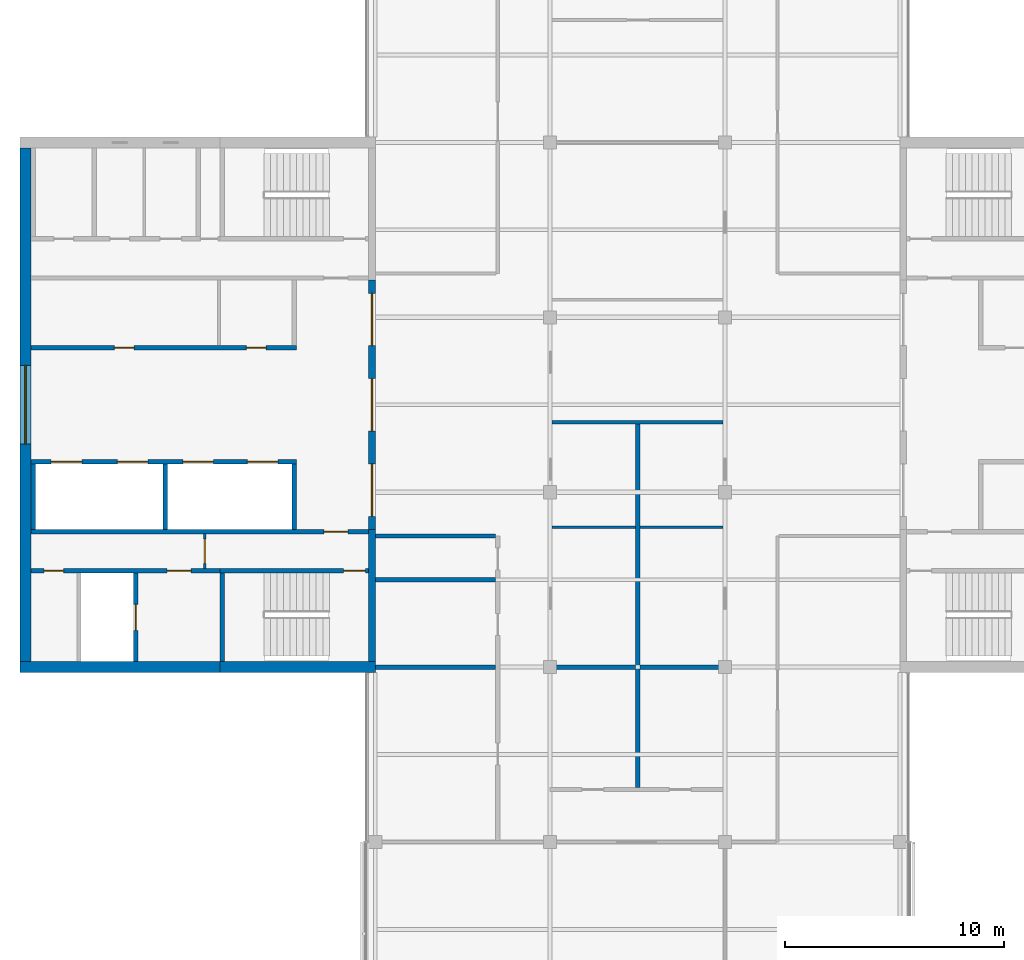
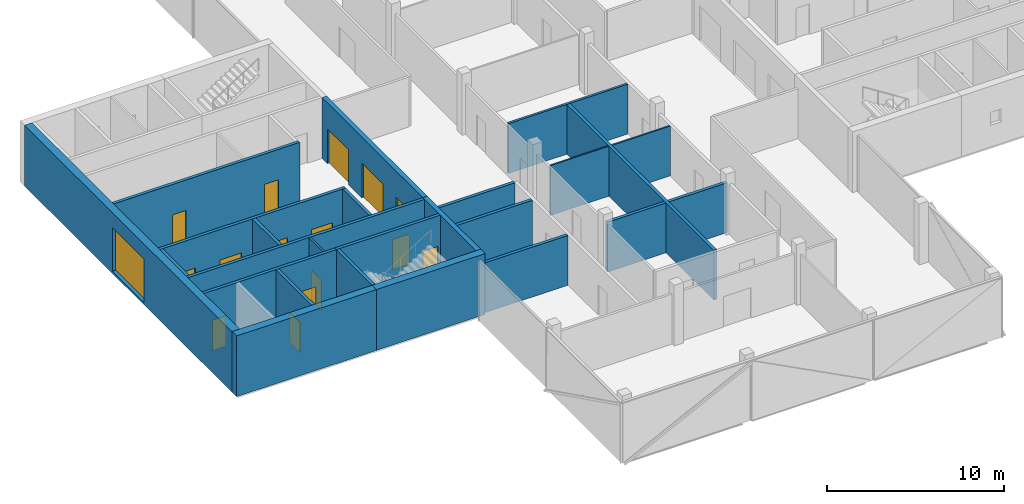
# One storey, part 9 of 15: 25 walls, 15 doors, 1 window, 16 openings.
"""IFC4 building model written with IfcOpenShell, lengths in metres."""

from ifc_helpers import new_model, si_unit, direction, frame, frame_2d, origin, place, context, subcontext, project, spatial, rectangle, extrude, material, layer, layer_set, constituent, constituent_set, type_object, element, fill, save


model = new_model("IFC4")

# Units and contexts
model_context = context("Model", 3, precision=1e-05, world=origin(), true_north=direction((0.0, 1.0)))
body_context = subcontext(model_context, "Body", "Model", "MODEL_VIEW")
ifc_project = project(units=[si_unit("LENGTHUNIT", "METRE"), si_unit("AREAUNIT", "SQUARE_METRE"), si_unit("VOLUMEUNIT", "CUBIC_METRE"), si_unit("PLANEANGLEUNIT", "RADIAN"), si_unit("MASSUNIT", "GRAM", prefix="KILO")], contexts=[model_context])

# Site, building, storey
site_placement = place(None, origin())
site = spatial("IfcSite", under=ifc_project, at=site_placement, CompositionType="ELEMENT")
building_placement = place(site_placement, origin())
building = spatial("IfcBuilding", under=site, at=building_placement, Name="Crosswind Convention Tower", CompositionType="ELEMENT")
storey_placement = place(building_placement, frame((0.0, 0.0, 319.699951171875)))
storey = spatial("IfcBuildingStorey", under=building, at=storey_placement, Name="L69", CompositionType="ELEMENT", Elevation=319.699951171875)

# Walls
ifc_material_1 = material(Name="Concrete blockwork", Category="masonry")
ifc_layer_1 = layer(ifc_material_1, 0.199951171875)
ifc_layer_set_1 = layer_set([ifc_layer_1], Name="COMPARTMENT WALL 200 BLOCKWORK")
wall_type_1 = type_object("IfcWallType", Name="COMPARTMENT WALL 200 BLOCKWORK", PredefinedType="SOLIDWALL", material=ifc_layer_set_1)
wall_1_placement = place(storey_placement, frame((125.0, 82.5, 0.0), z_axis=(0.0, 0.0, 1.0), x_axis=(0.0, 1.0, 0.0)))
element("IfcWall", 1, at=wall_1_placement, inside=storey, type_object=wall_type_1, Name="Compartment wall WT42", PredefinedType="SOLIDWALL", context=body_context, shape_type="SweptSolid", body=[
    extrude(rectangle(XDim=16.625, YDim=0.199951171875, at=frame_2d((8.3125, 0.0))), origin(), (0.0, 0.0, 1.0), 3.44287109375),
])
for number, where, z_axis, x_axis, name in (
    (2, (113.0, 88.0, 0.0), (0.0, 0.0, 1.0), (1.0, 0.0, 0.0), "Compartment wall WT42"),
    (3, (113.0, 92.0, 0.0), (0.0, 0.0, 1.0), (1.0, 0.0, 0.0), "Compartment wall WT42"),
    (4, (113.0, 94.0, 0.0), (0.0, 0.0, 1.0), (1.0, 0.0, 0.0), "Compartment wall WT42"),
):
    element("IfcWall", number, at=place(storey_placement, frame(where, z_axis=z_axis, x_axis=x_axis)), inside=storey, type_object=wall_type_1, Name=name, PredefinedType="SOLIDWALL", context=body_context, shape_type="SweptSolid", body=[
        extrude(rectangle(XDim=5.5, YDim=0.199951171875, at=frame_2d((2.75, 0.0))), origin(), (0.0, 0.0, 1.0), 3.44287109375),
    ])
wall_2_placement = place(storey_placement, frame((121.074951171875, 88.0, 0.0), z_axis=(0.0, 0.0, 1.0), x_axis=(1.0, 0.0, 0.0)))
element("IfcWall", 5, at=wall_2_placement, inside=storey, type_object=wall_type_1, Name="Compartment wall WT42", PredefinedType="SOLIDWALL", context=body_context, shape_type="SweptSolid", body=[
    extrude(rectangle(XDim=3.824951171875, YDim=0.199951171875, at=frame_2d((1.91259765625, 0.0))), origin(), (0.0, 0.0, 1.0), 3.44287109375),
])
wall_3_placement = place(storey_placement, frame((125.10009765625, 88.0, 0.0), z_axis=(0.0, 0.0, 1.0), x_axis=(1.0, 0.0, 0.0)))
element("IfcWall", 6, at=wall_3_placement, inside=storey, type_object=wall_type_1, Name="Compartment wall WT42", PredefinedType="SOLIDWALL", context=body_context, shape_type="SweptSolid", body=[
    extrude(rectangle(XDim=3.7998046875, YDim=0.199951171875, at=frame_2d((1.89990234375, 0.0))), origin(), (0.0, 0.0, 1.0), 3.44287109375),
])

# Wall, openings, doors
ifc_material_2 = material(Name="Concrete C50/60", Category="concrete")
ifc_layer_2 = layer(ifc_material_2, 0.300048828125)
ifc_layer_set_2 = layer_set([ifc_layer_2], Name="Concrete C50/60")
wall_type_2 = type_object("IfcWallType", Name="Concrete inner core wall 300", PredefinedType="SHEAR", material=ifc_layer_set_2)
wall_4_placement = place(storey_placement, frame((112.85009765625, 105.699951171875, 0.0), z_axis=(0.0, 0.0, 1.0), x_axis=(0.0, -1.0, 0.0)))
wall_4 = element("IfcWall", 7, at=wall_4_placement, inside=storey, type_object=wall_type_2, Name="Wall SCR W L69", PredefinedType="SHEAR", context=body_context, shape_type="SweptSolid", body=[
    extrude(rectangle(XDim=11.39990234375, YDim=0.300048828125, at=frame_2d((5.699951171875, 0.0))), origin(), (0.0, 0.0, 1.0), 4.199951171875),
])
opening_1_placement = place(wall_4_placement, frame((0.60009765625, 0.0, 0.0)))
opening_1 = element("IfcOpeningElement", 8, at=opening_1_placement, cuts=wall_4, Name="Opening D100", PredefinedType="OPENING", context=body_context, shape_type="SweptSolid", body=[
    extrude(rectangle(XDim=2.39990234375, YDim=2.39990234375, at=frame_2d((1.199951171875, 1.199951171875))), frame((0.0, 0.159912109375, 0.0), z_axis=(0.0, -1.0, 0.0), x_axis=(1.0, 0.0, 0.0)), (0.0, 0.0, 1.0), 0.320068359375),
])
opening_2_placement = place(wall_4_placement, frame((4.5, 0.0, 0.0)))
opening_2 = element("IfcOpeningElement", 9, at=opening_2_placement, cuts=wall_4, Name="Opening D100", PredefinedType="OPENING", context=body_context, shape_type="SweptSolid", body=[
    extrude(rectangle(XDim=2.39990234375, YDim=2.39990234375, at=frame_2d((1.199951171875, 1.199951171875))), frame((0.0, 0.159912109375, 0.0), z_axis=(0.0, -1.0, 0.0), x_axis=(1.0, 0.0, 0.0)), (0.0, 0.0, 1.0), 0.320068359375),
])
opening_3_placement = place(wall_4_placement, frame((8.39990234375, 0.0, 0.0)))
opening_3 = element("IfcOpeningElement", 10, at=opening_3_placement, cuts=wall_4, Name="Opening D100", PredefinedType="OPENING", context=body_context, shape_type="SweptSolid", body=[
    extrude(rectangle(XDim=2.39990234375, YDim=2.39990234375, at=frame_2d((1.199951171875, 1.199951171875))), frame((0.0, 0.159912109375, 0.0), z_axis=(0.0, -1.0, 0.0), x_axis=(1.0, 0.0, 0.0)), (0.0, 0.0, 1.0), 0.320068359375),
])
ifc_material_3 = material(Name="Steel fire door with glazed vision panels", Category="steel")
door_type_1 = type_object("IfcDoorType", Name="Fire-rated double door 2400x2400", OperationType="DOUBLE_DOOR_SINGLE_SWING", PredefinedType="DOOR", material=ifc_material_3)
door_1_placement = place(opening_1_placement, origin())
door_1 = element("IfcDoor", 11, at=door_1_placement, inside=storey, type_object=door_type_1, Name="Lobby door 1 L69", ObjectType="D100", OperationType="DOUBLE_DOOR_SINGLE_SWING", OverallHeight=2.39990234375, OverallWidth=2.39990234375, PredefinedType="DOOR", context=body_context, shape_type="SweptSolid", body=[
    extrude(rectangle(XDim=2.39990234375, YDim=2.39990234375, at=frame_2d((1.199951171875, 1.199951171875))), frame((0.0, 0.02490234375, 0.0), z_axis=(0.0, -1.0, 0.0), x_axis=(1.0, 0.0, 0.0)), (0.0, 0.0, 1.0), 0.050048828125),
])
fill(opening_1, door_1)
door_2_placement = place(opening_2_placement, origin())
door_2 = element("IfcDoor", 12, at=door_2_placement, inside=storey, type_object=door_type_1, Name="Lobby door 2 L69", ObjectType="D100", OperationType="DOUBLE_DOOR_SINGLE_SWING", OverallHeight=2.39990234375, OverallWidth=2.39990234375, PredefinedType="DOOR", context=body_context, shape_type="SweptSolid", body=[
    extrude(rectangle(XDim=2.39990234375, YDim=2.39990234375, at=frame_2d((1.199951171875, 1.199951171875))), frame((0.0, 0.02490234375, 0.0), z_axis=(0.0, -1.0, 0.0), x_axis=(1.0, 0.0, 0.0)), (0.0, 0.0, 1.0), 0.050048828125),
])
fill(opening_2, door_2)
door_3_placement = place(opening_3_placement, origin())
door_3 = element("IfcDoor", 13, at=door_3_placement, inside=storey, type_object=door_type_1, Name="Lobby door 3 L69", ObjectType="D100", OperationType="DOUBLE_DOOR_SINGLE_SWING", OverallHeight=2.39990234375, OverallWidth=2.39990234375, PredefinedType="DOOR", context=body_context, shape_type="SweptSolid", body=[
    extrude(rectangle(XDim=2.39990234375, YDim=2.39990234375, at=frame_2d((1.199951171875, 1.199951171875))), frame((0.0, 0.02490234375, 0.0), z_axis=(0.0, -1.0, 0.0), x_axis=(1.0, 0.0, 0.0)), (0.0, 0.0, 1.0), 0.050048828125),
])
fill(opening_3, door_3)

# Walls
wall_5_placement = place(storey_placement, frame((112.85009765625, 94.300048828125, 0.0), z_axis=(0.0, 0.0, 1.0), x_axis=(0.0, -1.0, 0.0)))
element("IfcWall", 14, at=wall_5_placement, inside=storey, type_object=wall_type_2, Name="Wall EP W L69", PredefinedType="SHEAR", context=body_context, shape_type="SweptSolid", body=[
    extrude(rectangle(XDim=6.050048828125, YDim=0.300048828125, at=frame_2d((3.02490234375, 0.0))), origin(), (0.0, 0.0, 1.0), 4.199951171875),
])
ifc_layer_3 = layer(ifc_material_2, 0.199951171875)
ifc_layer_set_3 = layer_set([ifc_layer_3], Name="Concrete C50/60")
wall_type_3 = type_object("IfcWallType", Name="Concrete shaft and stair wall 200", PredefinedType="SHEAR", material=ifc_layer_set_3)
for number, where, z_axis, x_axis, name in (
    (15, (109.300048828125, 97.300048828125, 0.0), (0.0, 0.0, 1.0), (0.0, -1.0, 0.0), "Wall RPEND W L69"),
    (16, (103.39990234375, 97.300048828125, 0.0), (0.0, 0.0, 1.0), (0.0, -1.0, 0.0), "Wall RPSEP W L69"),
    (17, (97.35009765625, 97.300048828125, 0.0), (0.0, 0.0, 1.0), (0.0, -1.0, 0.0), "Wall RPEAST W L69"),
):
    element("IfcWall", number, at=place(storey_placement, frame(where, z_axis=z_axis, x_axis=x_axis)), inside=storey, type_object=wall_type_3, Name=name, PredefinedType="SHEAR", context=body_context, shape_type="SweptSolid", body=[
        extrude(rectangle(XDim=3.0, YDim=0.199951171875, at=frame_2d((1.5, 0.0))), origin(), (0.0, 0.0, 1.0), 4.199951171875),
    ])

# Wall, openings, doors
wall_6_placement = place(storey_placement, frame((109.39990234375, 97.39990234375, 0.0), z_axis=(0.0, 0.0, 1.0), x_axis=(-1.0, 0.0, 0.0)))
wall_6 = element("IfcWall", 18, at=wall_6_placement, inside=storey, type_object=wall_type_3, Name="Wall RPFRONT W L69", PredefinedType="SHEAR", context=body_context, shape_type="SweptSolid", body=[
    extrude(rectangle(XDim=12.14990234375, YDim=0.199951171875, at=frame_2d((6.074951171875, 0.0))), origin(), (0.0, 0.0, 1.0), 4.199951171875),
])
opening_4_placement = place(wall_6_placement, frame((0.85009765625, 0.0, 0.0)))
opening_4 = element("IfcOpeningElement", 19, at=opening_4_placement, cuts=wall_6, Name="Opening LD2", PredefinedType="OPENING", context=body_context, shape_type="SweptSolid", body=[
    extrude(rectangle(XDim=1.39990234375, YDim=2.10009765625, at=frame_2d((0.699951171875, 1.050048828125))), frame((0.0, 0.10986328125, 0.0), z_axis=(0.0, -1.0, 0.0), x_axis=(1.0, 0.0, 0.0)), (0.0, 0.0, 1.0), 0.219970703125),
])
opening_5_placement = place(wall_6_placement, frame((3.800048828125, 0.0, 0.0)))
opening_5 = element("IfcOpeningElement", 20, at=opening_5_placement, cuts=wall_6, Name="Opening LD2", PredefinedType="OPENING", context=body_context, shape_type="SweptSolid", body=[
    extrude(rectangle(XDim=1.39990234375, YDim=2.10009765625, at=frame_2d((0.699951171875, 1.050048828125))), frame((0.0, 0.10986328125, 0.0), z_axis=(0.0, -1.0, 0.0), x_axis=(1.0, 0.0, 0.0)), (0.0, 0.0, 1.0), 0.219970703125),
])
opening_6_placement = place(wall_6_placement, frame((6.800048828125, 0.0, 0.0)))
opening_6 = element("IfcOpeningElement", 21, at=opening_6_placement, cuts=wall_6, Name="Opening LD2", PredefinedType="OPENING", context=body_context, shape_type="SweptSolid", body=[
    extrude(rectangle(XDim=1.39990234375, YDim=2.10009765625, at=frame_2d((0.699951171875, 1.050048828125))), frame((0.0, 0.10986328125, 0.0), z_axis=(0.0, -1.0, 0.0), x_axis=(1.0, 0.0, 0.0)), (0.0, 0.0, 1.0), 0.219970703125),
])
opening_7_placement = place(wall_6_placement, frame((9.824951171875, 0.0, 0.0)))
opening_7 = element("IfcOpeningElement", 22, at=opening_7_placement, cuts=wall_6, Name="Opening LD2", PredefinedType="OPENING", context=body_context, shape_type="SweptSolid", body=[
    extrude(rectangle(XDim=1.39990234375, YDim=2.10009765625, at=frame_2d((0.699951171875, 1.050048828125))), frame((0.0, 0.10986328125, 0.0), z_axis=(0.0, -1.0, 0.0), x_axis=(1.0, 0.0, 0.0)), (0.0, 0.0, 1.0), 0.219970703125),
])
ifc_material_4 = material(Name="Stainless steel", Category="steel")
door_type_2 = type_object("IfcDoorType", Name="Lift landing door 1400x2100", OperationType="DOUBLE_DOOR_SLIDING", PredefinedType="DOOR", material=ifc_material_4)
door_4_placement = place(opening_4_placement, origin())
door_4 = element("IfcDoor", 23, at=door_4_placement, inside=storey, type_object=door_type_2, Name="Landing door HR1 L69", ObjectType="LD2", OperationType="DOUBLE_DOOR_SLIDING", OverallHeight=2.10009765625, OverallWidth=1.39990234375, PredefinedType="DOOR", context=body_context, shape_type="SweptSolid", body=[
    extrude(rectangle(XDim=1.39990234375, YDim=2.10009765625, at=frame_2d((0.699951171875, 1.050048828125))), frame((0.0, 0.02490234375, 0.0), z_axis=(0.0, -1.0, 0.0), x_axis=(1.0, 0.0, 0.0)), (0.0, 0.0, 1.0), 0.050048828125),
])
fill(opening_4, door_4)
door_5_placement = place(opening_5_placement, origin())
door_5 = element("IfcDoor", 24, at=door_5_placement, inside=storey, type_object=door_type_2, Name="Landing door HR2 L69", ObjectType="LD2", OperationType="DOUBLE_DOOR_SLIDING", OverallHeight=2.10009765625, OverallWidth=1.39990234375, PredefinedType="DOOR", context=body_context, shape_type="SweptSolid", body=[
    extrude(rectangle(XDim=1.39990234375, YDim=2.10009765625, at=frame_2d((0.699951171875, 1.050048828125))), frame((0.0, 0.02490234375, 0.0), z_axis=(0.0, -1.0, 0.0), x_axis=(1.0, 0.0, 0.0)), (0.0, 0.0, 1.0), 0.050048828125),
])
fill(opening_5, door_5)
door_6_placement = place(opening_6_placement, origin())
door_6 = element("IfcDoor", 25, at=door_6_placement, inside=storey, type_object=door_type_2, Name="Landing door HR3 L69", ObjectType="LD2", OperationType="DOUBLE_DOOR_SLIDING", OverallHeight=2.10009765625, OverallWidth=1.39990234375, PredefinedType="DOOR", context=body_context, shape_type="SweptSolid", body=[
    extrude(rectangle(XDim=1.39990234375, YDim=2.10009765625, at=frame_2d((0.699951171875, 1.050048828125))), frame((0.0, 0.02490234375, 0.0), z_axis=(0.0, -1.0, 0.0), x_axis=(1.0, 0.0, 0.0)), (0.0, 0.0, 1.0), 0.050048828125),
])
fill(opening_6, door_6)
door_7_placement = place(opening_7_placement, origin())
door_7 = element("IfcDoor", 26, at=door_7_placement, inside=storey, type_object=door_type_2, Name="Landing door HR4 L69", ObjectType="LD2", OperationType="DOUBLE_DOOR_SLIDING", OverallHeight=2.10009765625, OverallWidth=1.39990234375, PredefinedType="DOOR", context=body_context, shape_type="SweptSolid", body=[
    extrude(rectangle(XDim=1.39990234375, YDim=2.10009765625, at=frame_2d((0.699951171875, 1.050048828125))), frame((0.0, 0.02490234375, 0.0), z_axis=(0.0, -1.0, 0.0), x_axis=(1.0, 0.0, 0.0)), (0.0, 0.0, 1.0), 0.050048828125),
])
fill(opening_7, door_7)

wall_7_placement = place(storey_placement, frame((109.39990234375, 102.60009765625, 0.0), z_axis=(0.0, 0.0, 1.0), x_axis=(-1.0, 0.0, 0.0)))
wall_7 = element("IfcWall", 27, at=wall_7_placement, inside=storey, type_object=wall_type_3, Name="Wall RMFRONT W L69", PredefinedType="SHEAR", context=body_context, shape_type="SweptSolid", body=[
    extrude(rectangle(XDim=12.14990234375, YDim=0.199951171875, at=frame_2d((6.074951171875, 0.0))), origin(), (0.0, 0.0, 1.0), 4.199951171875),
])
opening_8_placement = place(wall_7_placement, frame((1.391845703125, 0.0, 0.0)))
opening_8 = element("IfcOpeningElement", 28, at=opening_8_placement, cuts=wall_7, Name="Opening D106", PredefinedType="OPENING", context=body_context, shape_type="SweptSolid", body=[
    extrude(rectangle(XDim=0.89990234375, YDim=2.10009765625, at=frame_2d((0.449951171875, 1.050048828125))), frame((0.0, 0.10986328125, 0.0), z_axis=(0.0, -1.0, 0.0), x_axis=(1.0, 0.0, 0.0)), (0.0, 0.0, 1.0), 0.219970703125),
])
opening_9_placement = place(wall_7_placement, frame((7.42919921875, 0.0, 0.0)))
opening_9 = element("IfcOpeningElement", 29, at=opening_9_placement, cuts=wall_7, Name="Opening D106", PredefinedType="OPENING", context=body_context, shape_type="SweptSolid", body=[
    extrude(rectangle(XDim=0.89990234375, YDim=2.10009765625, at=frame_2d((0.449951171875, 1.050048828125))), frame((0.0, 0.10986328125, 0.0), z_axis=(0.0, -1.0, 0.0), x_axis=(1.0, 0.0, 0.0)), (0.0, 0.0, 1.0), 0.219970703125),
])
ifc_material_5 = material(Name="Timber door", Category="wood")
door_type_3 = type_object("IfcDoorType", Name="Single leaf door 900x2100", OperationType="NOTDEFINED", PredefinedType="DOOR", material=ifc_material_5)
door_8_placement = place(opening_8_placement, frame((0.89990234375, 0.0, 0.0), z_axis=(0.0, 0.0, 1.0), x_axis=(-1.0, 0.0, 0.0)))
door_8 = element("IfcDoor", 30, at=door_8_placement, inside=storey, type_object=door_type_3, Name="Door to storeroom L69", ObjectType="D106", OperationType="SINGLE_SWING_LEFT", OverallHeight=2.10009765625, OverallWidth=0.89990234375, PredefinedType="DOOR", context=body_context, shape_type="SweptSolid", body=[
    extrude(rectangle(XDim=0.89990234375, YDim=2.10009765625, at=frame_2d((0.449951171875, 1.050048828125))), frame((0.0, 0.02490234375, 0.0), z_axis=(0.0, -1.0, 0.0), x_axis=(1.0, 0.0, 0.0)), (0.0, 0.0, 1.0), 0.050048828125),
])
fill(opening_8, door_8)
door_9_placement = place(opening_9_placement, frame((0.89990234375, 0.0, 0.0), z_axis=(0.0, 0.0, 1.0), x_axis=(-1.0, 0.0, 0.0)))
door_9 = element("IfcDoor", 31, at=door_9_placement, inside=storey, type_object=door_type_3, Name="Door to tenant services room L69", ObjectType="D106", OperationType="SINGLE_SWING_LEFT", OverallHeight=2.10009765625, OverallWidth=0.89990234375, PredefinedType="DOOR", context=body_context, shape_type="SweptSolid", body=[
    extrude(rectangle(XDim=0.89990234375, YDim=2.10009765625, at=frame_2d((0.449951171875, 1.050048828125))), frame((0.0, 0.02490234375, 0.0), z_axis=(0.0, -1.0, 0.0), x_axis=(1.0, 0.0, 0.0)), (0.0, 0.0, 1.0), 0.050048828125),
])
fill(opening_9, door_9)

# Wall, opening, door
wall_8_placement = place(storey_placement, frame((112.699951171875, 94.199951171875, 0.0), z_axis=(0.0, 0.0, 1.0), x_axis=(-1.0, 0.0, 0.0)))
wall_8 = element("IfcWall", 32, at=wall_8_placement, inside=storey, type_object=wall_type_3, Name="Wall HP W L69", PredefinedType="SHEAR", context=body_context, shape_type="SweptSolid", body=[
    extrude(rectangle(XDim=15.449951171875, YDim=0.199951171875, at=frame_2d((7.72509765625, 0.0))), origin(), (0.0, 0.0, 1.0), 4.199951171875),
])
opening_10_placement = place(wall_8_placement, frame((0.949951171875, 0.0, 0.0)))
opening_10 = element("IfcOpeningElement", 33, at=opening_10_placement, cuts=wall_8, Name="Opening D104", PredefinedType="OPENING", context=body_context, shape_type="SweptSolid", body=[
    extrude(rectangle(XDim=1.10009765625, YDim=2.10009765625, at=frame_2d((0.550048828125, 1.050048828125))), frame((0.0, 0.10986328125, 0.0), z_axis=(0.0, -1.0, 0.0), x_axis=(1.0, 0.0, 0.0)), (0.0, 0.0, 1.0), 0.219970703125),
])
ifc_material_6 = material(Name="Steel fire door", Category="steel")
door_type_4 = type_object("IfcDoorType", Name="Fire-rated single door 1100x2100", OperationType="NOTDEFINED", PredefinedType="DOOR", material=ifc_material_6)
door_10_placement = place(opening_10_placement, origin())
door_10 = element("IfcDoor", 34, at=door_10_placement, inside=storey, type_object=door_type_4, Name="Corridor door L69", ObjectType="D104", OperationType="SINGLE_SWING_LEFT", OverallHeight=2.10009765625, OverallWidth=1.10009765625, PredefinedType="DOOR", context=body_context, shape_type="SweptSolid", body=[
    extrude(rectangle(XDim=1.10009765625, YDim=2.10009765625, at=frame_2d((0.550048828125, 1.050048828125))), frame((0.0, 0.02490234375, 0.0), z_axis=(0.0, -1.0, 0.0), x_axis=(1.0, 0.0, 0.0)), (0.0, 0.0, 1.0), 0.050048828125),
])
fill(opening_10, door_10)

# Wall
wall_9_placement = place(storey_placement, frame((106.0, 92.300048828125, 0.0), z_axis=(0.0, 0.0, 1.0), x_axis=(0.0, -1.0, 0.0)))
element("IfcWall", 35, at=wall_9_placement, inside=storey, type_object=wall_type_3, Name="Wall PSE W L69", PredefinedType="SHEAR", context=body_context, shape_type="SweptSolid", body=[
    extrude(rectangle(XDim=4.050048828125, YDim=0.199951171875, at=frame_2d((2.02490234375, 0.0))), origin(), (0.0, 0.0, 1.0), 4.199951171875),
])

# Wall, opening, door
wall_10_placement = place(storey_placement, frame((102.050048828125, 92.300048828125, 0.0), z_axis=(0.0, 0.0, 1.0), x_axis=(0.0, -1.0, 0.0)))
wall_10 = element("IfcWall", 36, at=wall_10_placement, inside=storey, type_object=wall_type_3, Name="Wall PFLW W L69", PredefinedType="SHEAR", context=body_context, shape_type="SweptSolid", body=[
    extrude(rectangle(XDim=4.050048828125, YDim=0.199951171875, at=frame_2d((2.02490234375, 0.0))), origin(), (0.0, 0.0, 1.0), 4.199951171875),
])
opening_11_placement = place(wall_10_placement, frame((1.425048828125, 0.0, 0.0)))
opening_11 = element("IfcOpeningElement", 37, at=opening_11_placement, cuts=wall_10, Name="Opening LD1", PredefinedType="OPENING", context=body_context, shape_type="SweptSolid", body=[
    extrude(rectangle(XDim=1.199951171875, YDim=2.10009765625, at=frame_2d((0.60009765625, 1.050048828125))), frame((0.0, 0.10986328125, 0.0), z_axis=(0.0, -1.0, 0.0), x_axis=(1.0, 0.0, 0.0)), (0.0, 0.0, 1.0), 0.219970703125),
])
door_type_5 = type_object("IfcDoorType", Name="Lift landing door 1200x2100", OperationType="DOUBLE_DOOR_SLIDING", PredefinedType="DOOR", material=ifc_material_4)
door_11_placement = place(opening_11_placement, origin())
door_11 = element("IfcDoor", 38, at=door_11_placement, inside=storey, type_object=door_type_5, Name="Landing door FF2 L69", ObjectType="LD1", OperationType="DOUBLE_DOOR_SLIDING", OverallHeight=2.10009765625, OverallWidth=1.199951171875, PredefinedType="DOOR", context=body_context, shape_type="SweptSolid", body=[
    extrude(rectangle(XDim=1.199951171875, YDim=2.10009765625, at=frame_2d((0.60009765625, 1.050048828125))), frame((0.0, 0.02490234375, 0.0), z_axis=(0.0, -1.0, 0.0), x_axis=(1.0, 0.0, 0.0)), (0.0, 0.0, 1.0), 0.050048828125),
])
fill(opening_11, door_11)

wall_11_placement = place(storey_placement, frame((112.699951171875, 92.39990234375, 0.0), z_axis=(0.0, 0.0, 1.0), x_axis=(-1.0, 0.0, 0.0)))
wall_11 = element("IfcWall", 39, at=wall_11_placement, inside=storey, type_object=wall_type_3, Name="Wall PCW W L69", PredefinedType="SHEAR", context=body_context, shape_type="SweptSolid", body=[
    extrude(rectangle(XDim=6.800048828125, YDim=0.199951171875, at=frame_2d((3.39990234375, 0.0))), origin(), (0.0, 0.0, 1.0), 4.199951171875),
])
opening_12_placement = place(wall_11_placement, frame((0.14990234375, 0.0, 0.0)))
opening_12 = element("IfcOpeningElement", 40, at=opening_12_placement, cuts=wall_11, Name="Opening D103", PredefinedType="OPENING", context=body_context, shape_type="SweptSolid", body=[
    extrude(rectangle(XDim=1.0, YDim=2.10009765625, at=frame_2d((0.5, 1.050048828125))), frame((0.0, 0.10986328125, 0.0), z_axis=(0.0, -1.0, 0.0), x_axis=(1.0, 0.0, 0.0)), (0.0, 0.0, 1.0), 0.219970703125),
])
door_type_6 = type_object("IfcDoorType", Name="Fire-rated single door 1000x2100", OperationType="NOTDEFINED", PredefinedType="DOOR", material=ifc_material_6)
door_12_placement = place(opening_12_placement, origin())
door_12 = element("IfcDoor", 41, at=door_12_placement, inside=storey, type_object=door_type_6, Name="Stair ST3 door L69", ObjectType="D103", OperationType="SINGLE_SWING_LEFT", OverallHeight=2.10009765625, OverallWidth=1.0, PredefinedType="DOOR", context=body_context, shape_type="SweptSolid", body=[
    extrude(rectangle(XDim=1.0, YDim=2.10009765625, at=frame_2d((0.5, 1.050048828125))), frame((0.0, 0.02490234375, 0.0), z_axis=(0.0, -1.0, 0.0), x_axis=(1.0, 0.0, 0.0)), (0.0, 0.0, 1.0), 0.050048828125),
])
fill(opening_12, door_12)

# Wall, openings, doors
wall_12_placement = place(storey_placement, frame((105.89990234375, 92.39990234375, 0.0), z_axis=(0.0, 0.0, 1.0), x_axis=(-1.0, 0.0, 0.0)))
wall_12 = element("IfcWall", 42, at=wall_12_placement, inside=storey, type_object=wall_type_3, Name="Wall PCX W L69", PredefinedType="SHEAR", context=body_context, shape_type="SweptSolid", body=[
    extrude(rectangle(XDim=8.64990234375, YDim=0.199951171875, at=frame_2d((4.324951171875, 0.0))), origin(), (0.0, 0.0, 1.0), 4.199951171875),
])
opening_13_placement = place(wall_12_placement, frame((1.324951171875, 0.0, 0.0)))
opening_13 = element("IfcOpeningElement", 43, at=opening_13_placement, cuts=wall_12, Name="Opening D104", PredefinedType="OPENING", context=body_context, shape_type="SweptSolid", body=[
    extrude(rectangle(XDim=1.10009765625, YDim=2.10009765625, at=frame_2d((0.550048828125, 1.050048828125))), frame((0.0, 0.10986328125, 0.0), z_axis=(0.0, -1.0, 0.0), x_axis=(1.0, 0.0, 0.0)), (0.0, 0.0, 1.0), 0.219970703125),
])
opening_14_placement = place(wall_12_placement, frame((7.14990234375, 0.0, 0.0)))
opening_14 = element("IfcOpeningElement", 44, at=opening_14_placement, cuts=wall_12, Name="Opening D106", PredefinedType="OPENING", context=body_context, shape_type="SweptSolid", body=[
    extrude(rectangle(XDim=0.89990234375, YDim=2.10009765625, at=frame_2d((0.449951171875, 1.050048828125))), frame((0.0, 0.10986328125, 0.0), z_axis=(0.0, -1.0, 0.0), x_axis=(1.0, 0.0, 0.0)), (0.0, 0.0, 1.0), 0.219970703125),
])
door_13_placement = place(opening_13_placement, origin())
door_13 = element("IfcDoor", 45, at=door_13_placement, inside=storey, type_object=door_type_4, Name="Fire-fighting lobby FF2 door L69", ObjectType="D104", OperationType="SINGLE_SWING_RIGHT", OverallHeight=2.10009765625, OverallWidth=1.10009765625, PredefinedType="DOOR", context=body_context, shape_type="SweptSolid", body=[
    extrude(rectangle(XDim=1.10009765625, YDim=2.10009765625, at=frame_2d((0.550048828125, 1.050048828125))), frame((0.0, 0.02490234375, 0.0), z_axis=(0.0, -1.0, 0.0), x_axis=(1.0, 0.0, 0.0)), (0.0, 0.0, 1.0), 0.050048828125),
])
fill(opening_13, door_13)
door_14_placement = place(opening_14_placement, origin())
door_14 = element("IfcDoor", 46, at=door_14_placement, inside=storey, type_object=door_type_3, Name="Door to electrical room L69", ObjectType="D106", OperationType="SINGLE_SWING_RIGHT", OverallHeight=2.10009765625, OverallWidth=0.89990234375, PredefinedType="DOOR", context=body_context, shape_type="SweptSolid", body=[
    extrude(rectangle(XDim=0.89990234375, YDim=2.10009765625, at=frame_2d((0.449951171875, 1.050048828125))), frame((0.0, 0.02490234375, 0.0), z_axis=(0.0, -1.0, 0.0), x_axis=(1.0, 0.0, 0.0)), (0.0, 0.0, 1.0), 0.050048828125),
])
fill(opening_14, door_14)

# Wall, opening, door
ifc_material_7 = material(Name="Gypsum plasterboard partition", Category="gypsum")
ifc_layer_4 = layer(ifc_material_7, 0.125)
ifc_layer_set_4 = layer_set([ifc_layer_4], Name="Drywall partition wall 125")
wall_type_4 = type_object("IfcWallType", Name="Drywall partition wall 125", PredefinedType="PARTITIONING", material=ifc_layer_set_4)
wall_13_placement = place(storey_placement, frame((105.199951171875, 94.10009765625, 0.0), z_axis=(0.0, 0.0, 1.0), x_axis=(0.0, -1.0, 0.0)))
wall_13 = element("IfcWall", 47, at=wall_13_placement, inside=storey, type_object=wall_type_4, Name="Wall PXC1 W L69", PredefinedType="PARTITIONING", context=body_context, shape_type="SweptSolid", body=[
    extrude(rectangle(XDim=1.60009765625, YDim=0.125, at=frame_2d((0.800048828125, 0.0))), origin(), (0.0, 0.0, 1.0), 4.199951171875),
])
opening_15_placement = place(wall_13_placement, frame((0.25, 0.0, 0.0)))
opening_15 = element("IfcOpeningElement", 48, at=opening_15_placement, cuts=wall_13, Name="Opening D104", PredefinedType="OPENING", context=body_context, shape_type="SweptSolid", body=[
    extrude(rectangle(XDim=1.10009765625, YDim=2.10009765625, at=frame_2d((0.550048828125, 1.050048828125))), frame((0.0, 0.072509765625, 0.0), z_axis=(0.0, -1.0, 0.0), x_axis=(1.0, 0.0, 0.0)), (0.0, 0.0, 1.0), 0.14501953125),
])
door_15_placement = place(opening_15_placement, origin())
door_15 = element("IfcDoor", 49, at=door_15_placement, inside=storey, type_object=door_type_4, Name="Corridor smoke door L69", ObjectType="D104", OperationType="SINGLE_SWING_RIGHT", OverallHeight=2.10009765625, OverallWidth=1.10009765625, PredefinedType="DOOR", context=body_context, shape_type="SweptSolid", body=[
    extrude(rectangle(XDim=1.10009765625, YDim=2.10009765625, at=frame_2d((0.550048828125, 1.050048828125))), frame((0.0, 0.02490234375, 0.0), z_axis=(0.0, -1.0, 0.0), x_axis=(1.0, 0.0, 0.0)), (0.0, 0.0, 1.0), 0.050048828125),
])
fill(opening_15, door_15)

# Walls
ifc_material_8 = material(Name="Plasterboard partition", Category="gypsum")
ifc_layer_5 = layer(ifc_material_8, 0.10009765625)
ifc_layer_set_5 = layer_set([ifc_layer_5], Name="PARTITION 100 METAL STUD")
wall_type_5 = type_object("IfcWallType", Name="PARTITION 100 METAL STUD", PredefinedType="PARTITIONING", material=ifc_layer_set_5)
wall_14_placement = place(storey_placement, frame((121.074951171875, 94.39990234375, 0.0), z_axis=(0.0, 0.0, 1.0), x_axis=(1.0, 0.0, 0.0)))
element("IfcWall", 50, at=wall_14_placement, inside=storey, type_object=wall_type_5, Name="Partition wall WT40", PredefinedType="PARTITIONING", context=body_context, shape_type="SweptSolid", body=[
    extrude(rectangle(XDim=3.824951171875, YDim=0.10009765625, at=frame_2d((1.91259765625, 0.0))), origin(), (0.0, 0.0, 1.0), 3.44287109375),
])
wall_15_placement = place(storey_placement, frame((125.10009765625, 94.39990234375, 0.0), z_axis=(0.0, 0.0, 1.0), x_axis=(1.0, 0.0, 0.0)))
element("IfcWall", 51, at=wall_15_placement, inside=storey, type_object=wall_type_5, Name="Partition wall WT40", PredefinedType="PARTITIONING", context=body_context, shape_type="SweptSolid", body=[
    extrude(rectangle(XDim=3.7998046875, YDim=0.10009765625, at=frame_2d((1.89990234375, 0.0))), origin(), (0.0, 0.0, 1.0), 3.44287109375),
])
ifc_material_9 = material(Name="Fire-board partition with mineral wool", Category="gypsum")
ifc_layer_6 = layer(ifc_material_9, 0.14990234375)
ifc_layer_set_6 = layer_set([ifc_layer_6], Name="TENANCY WALL 150 TWO-HOUR BOARD")
wall_type_6 = type_object("IfcWallType", Name="TENANCY WALL 150 TWO-HOUR BOARD", PredefinedType="PARTITIONING", material=ifc_layer_set_6)
wall_16_placement = place(storey_placement, frame((121.074951171875, 99.199951171875, 0.0), z_axis=(0.0, 0.0, 1.0), x_axis=(1.0, 0.0, 0.0)))
element("IfcWall", 52, at=wall_16_placement, inside=storey, type_object=wall_type_6, Name="Tenancy wall WT41", PredefinedType="PARTITIONING", context=body_context, shape_type="SweptSolid", body=[
    extrude(rectangle(XDim=7.824951171875, YDim=0.14990234375, at=frame_2d((3.91259765625, 0.0))), origin(), (0.0, 0.0, 1.0), 3.44287109375),
])
ifc_material_10 = material(Name="Concrete C60/75", Category="concrete")
ifc_constituent_1 = constituent(ifc_material_10, Name="Structure")
ifc_material_11 = material(Name="Terracotta rainscreen", Category="ceramic")
ifc_constituent_2 = constituent(ifc_material_11, Name="Facing")
ifc_constituent_set = constituent_set(constituents=[ifc_constituent_1, ifc_constituent_2], Name="Concrete C60/75, Terracotta rainscreen")
wall_type_7 = type_object("IfcWallType", Name="Terracotta rainscreen on concrete core wall 500", PredefinedType="SHEAR", material=ifc_constituent_set)
wall_17_placement = place(storey_placement, frame((113.0, 88.0, 0.0), z_axis=(0.0, 0.0, 1.0), x_axis=(-1.0, 0.0, 0.0)))
element("IfcWall", 53, at=wall_17_placement, inside=storey, type_object=wall_type_7, Name="Wall N1 W L69", PredefinedType="SHEAR", context=body_context, shape_type="SweptSolid", body=[
    extrude(rectangle(XDim=7.10009765625, YDim=0.5, at=frame_2d((3.550048828125, 0.0))), origin(), (0.0, 0.0, 1.0), 4.199951171875),
])
wall_18_placement = place(storey_placement, frame((105.89990234375, 88.0, 0.0), z_axis=(0.0, 0.0, 1.0), x_axis=(-1.0, 0.0, 0.0)))
element("IfcWall", 54, at=wall_18_placement, inside=storey, type_object=wall_type_7, Name="Wall N2 W L69", PredefinedType="SHEAR", context=body_context, shape_type="SweptSolid", body=[
    extrude(rectangle(XDim=9.14990234375, YDim=0.5, at=frame_2d((4.574951171875, 0.0))), origin(), (0.0, 0.0, 1.0), 4.199951171875),
])

# Wall, opening, window
wall_19_placement = place(storey_placement, frame((97.0, 111.75, 0.0), z_axis=(0.0, 0.0, 1.0), x_axis=(0.0, -1.0, 0.0)))
wall_19 = element("IfcWall", 55, at=wall_19_placement, inside=storey, type_object=wall_type_7, Name="Wall O W L69", PredefinedType="SHEAR", context=body_context, shape_type="SweptSolid", body=[
    extrude(rectangle(XDim=23.5, YDim=0.5, at=frame_2d((11.75, 0.0))), origin(), (0.0, 0.0, 1.0), 4.199951171875),
])
opening_16_placement = place(wall_19_placement, frame((9.949951171875, 0.0, 0.14990234375)))
opening_16 = element("IfcOpeningElement", 56, at=opening_16_placement, cuts=wall_19, Name="Opening W1", PredefinedType="OPENING", context=body_context, shape_type="SweptSolid", body=[
    extrude(rectangle(XDim=3.60009765625, YDim=3.0, at=frame_2d((1.800048828125, 1.5))), frame((0.0, 0.260009765625, 0.0), z_axis=(0.0, -1.0, 0.0), x_axis=(1.0, 0.0, 0.0)), (0.0, 0.0, 1.0), 0.52001953125),
])
ifc_material_12 = material(Name="Clear laminated glass in aluminium frame", Category="aluminium")
window_type = type_object("IfcWindowType", Name="Lobby end window 3600x3000", PartitioningType="SINGLE_PANEL", PredefinedType="WINDOW", material=ifc_material_12)
window_placement = place(opening_16_placement, origin())
window = element("IfcWindow", 57, at=window_placement, inside=storey, type_object=window_type, Name="Lobby end window L69", ObjectType="W1", OverallHeight=3.0, OverallWidth=3.60009765625, PartitioningType="SINGLE_PANEL", PredefinedType="WINDOW", context=body_context, shape_type="SweptSolid", body=[
    extrude(rectangle(XDim=3.60009765625, YDim=3.0, at=frame_2d((1.800048828125, 1.5))), frame((0.0, 0.030029296875, 0.0), z_axis=(0.0, -1.0, 0.0), x_axis=(1.0, 0.0, 0.0)), (0.0, 0.0, 1.0), 0.06005859375),
])
fill(opening_16, window)

save(model, "model.ifc")
